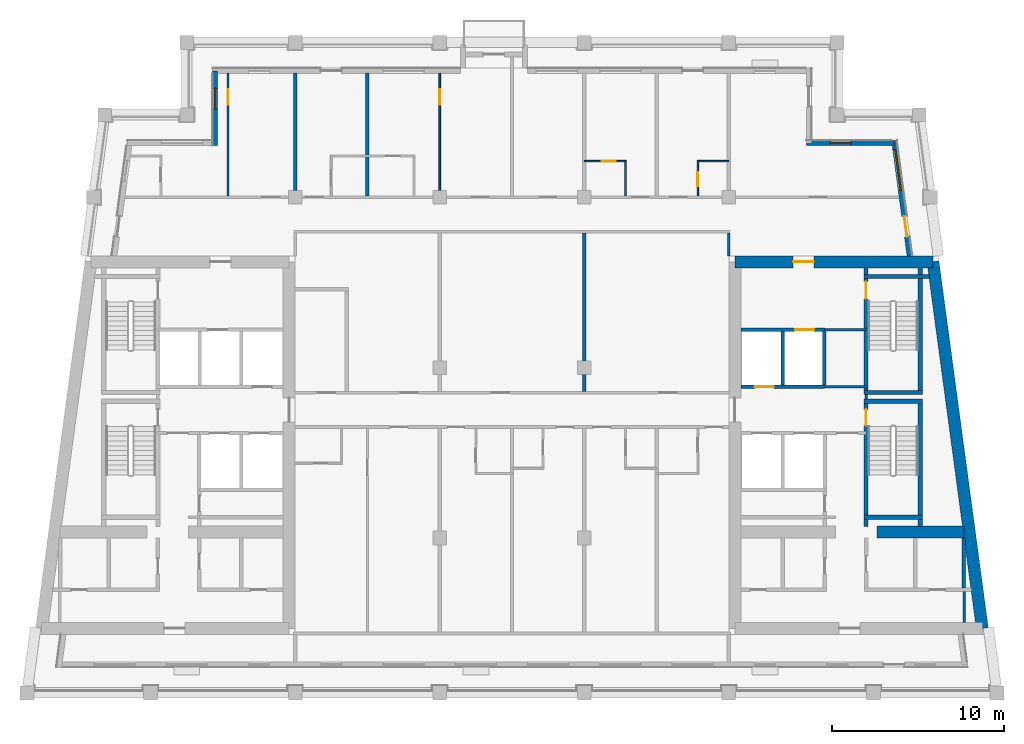
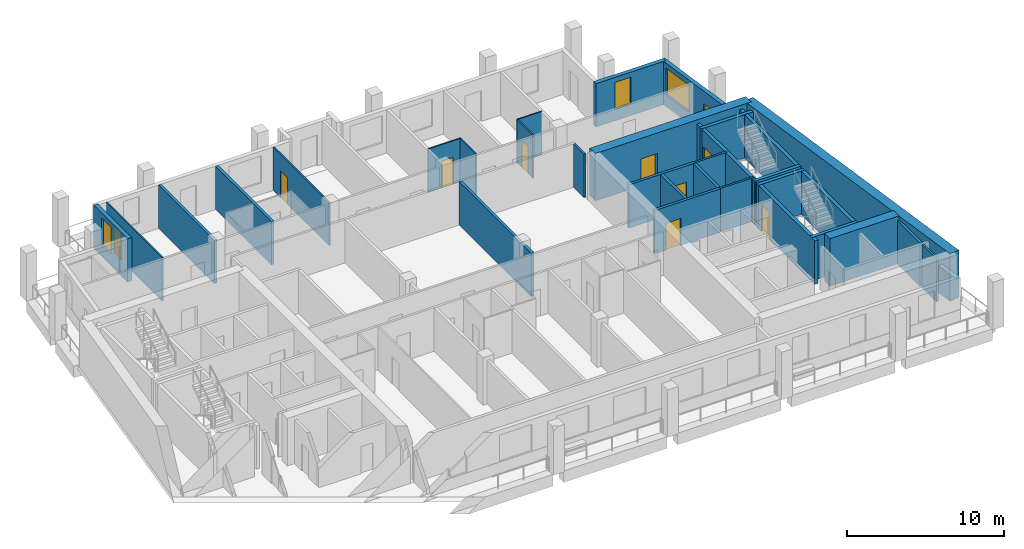
# One storey, part 6 of 14: 33 walls, 10 doors, 3 windows, 13 openings.
"""IFC4 building model written with IfcOpenShell, lengths in metres."""

from ifc_helpers import new_model, si_unit, direction, frame, frame_2d, origin, place, context, subcontext, project, spatial, rectangle, extrude, material, layer, layer_set, type_object, element, fill, save


model = new_model("IFC4")

# Units and contexts
model_context = context("Model", 3, precision=1e-05, world=origin(), true_north=direction((0.0, 1.0)))
body_context = subcontext(model_context, "Body", "Model", "MODEL_VIEW")
ifc_project = project(units=[si_unit("LENGTHUNIT", "METRE"), si_unit("AREAUNIT", "SQUARE_METRE"), si_unit("VOLUMEUNIT", "CUBIC_METRE"), si_unit("PLANEANGLEUNIT", "RADIAN"), si_unit("MASSUNIT", "GRAM", prefix="KILO")], contexts=[model_context])

# Site, building, storey
site_placement = place(None, origin())
site = spatial("IfcSite", under=ifc_project, at=site_placement, CompositionType="ELEMENT")
building_placement = place(site_placement, origin())
building = spatial("IfcBuilding", under=site, at=building_placement, Name="Candeia Pilgrim Tower and Theatre", CompositionType="ELEMENT")
storey_placement = place(building_placement, frame((0.0, 0.0, 273.800048828125)))
storey = spatial("IfcBuildingStorey", under=building, at=storey_placement, Name="L66", CompositionType="ELEMENT", Elevation=273.800048828125)

# Wall, opening, door
ifc_material_1 = material(Name="Concrete C40/50", Category="concrete")
ifc_layer_1 = layer(ifc_material_1, 0.699951171875)
ifc_layer_set_1 = layer_set([ifc_layer_1], Name="Core wall 700 C40/50")
wall_type_1 = type_object("IfcWallType", Name="Core wall 700 C40/50", PredefinedType="SHEAR", material=ifc_layer_set_1)
wall_1_placement = place(storey_placement, frame((126.35009765625, 132.050048828125, 0.0), z_axis=(0.0, 0.0, 1.0), x_axis=(1.0, 0.0, 0.0)))
wall_1 = element("IfcWall", 1, at=wall_1_placement, inside=storey, type_object=wall_type_1, Name="Core wall E1", PredefinedType="SHEAR", context=body_context, shape_type="SweptSolid", body=[
    extrude(rectangle(XDim=11.51318359375, YDim=0.699951171875, at=frame_2d((5.756591796875, 0.0))), origin(), (0.0, 0.0, 1.0), 3.699951171875),
])
opening_1_placement = place(wall_1_placement, frame((3.386474609375, 0.0, 0.0)))
opening_1 = element("IfcOpeningElement", 2, at=opening_1_placement, cuts=wall_1, Name="Opening L66-D050", PredefinedType="OPENING", context=body_context, shape_type="SweptSolid", body=[
    extrude(rectangle(XDim=1.199951171875, YDim=2.10009765625, at=frame_2d((0.60009765625, 1.050048828125))), frame((0.0, 0.35986328125, 0.0), z_axis=(0.0, -1.0, 0.0), x_axis=(1.0, 0.0, 0.0)), (0.0, 0.0, 1.0), 0.719970703125),
])
ifc_material_2 = material(Name="Steel fire door set", Category="steel")
door_type_1 = type_object("IfcDoorType", Name="D-1200-FD60", OperationType="NOTDEFINED", PredefinedType="DOOR", material=ifc_material_2)
door_1_placement = place(opening_1_placement, origin())
door_1 = element("IfcDoor", 3, at=door_1_placement, inside=storey, type_object=door_type_1, Name="Door L66-D050", OperationType="SINGLE_SWING_RIGHT", OverallHeight=2.10009765625, OverallWidth=1.199951171875, PredefinedType="DOOR", context=body_context, shape_type="SweptSolid", body=[
    extrude(rectangle(XDim=1.199951171875, YDim=2.10009765625, at=frame_2d((0.60009765625, 1.050048828125))), frame((0.0, 0.02490234375, 0.0), z_axis=(0.0, -1.0, 0.0), x_axis=(1.0, 0.0, 0.0)), (0.0, 0.0, 1.0), 0.050048828125),
])
fill(opening_1, door_1)

# Walls
wall_2_placement = place(storey_placement, frame((137.86328125, 132.050048828125, 0.0), z_axis=(0.0, 0.0, 1.0), x_axis=(0.133406218907, -0.991061441464, 0.0)))
element("IfcWall", 4, at=wall_2_placement, inside=storey, type_object=wall_type_1, Name="Core wall E2", PredefinedType="SHEAR", context=body_context, shape_type="SweptSolid", body=[
    extrude(rectangle(XDim=21.4921875, YDim=0.699951171875, at=frame_2d((10.74609375, 0.0))), origin(), (0.0, 0.0, 1.0), 3.699951171875),
])
wall_3_placement = place(storey_placement, frame((134.60009765625, 116.35009765625, 0.0), z_axis=(0.0, 0.0, 1.0), x_axis=(1.0, 0.0, 0.0)))
element("IfcWall", 5, at=wall_3_placement, inside=storey, type_object=wall_type_1, Name="Core wall E6", PredefinedType="SHEAR", context=body_context, shape_type="SweptSolid", body=[
    extrude(rectangle(XDim=5.076904296875, YDim=0.699951171875, at=frame_2d((2.53857421875, 0.0))), origin(), (0.0, 0.0, 1.0), 3.699951171875),
])

# Wall, openings, door, window
ifc_material_3 = material(Name="Ceramic block masonry", Category="masonry")
ifc_layer_2 = layer(ifc_material_3, 0.300048828125)
ifc_layer_set_2 = layer_set([ifc_layer_2], Name="EW1 glazing-line wall 300")
wall_type_2 = type_object("IfcWallType", Name="EW1 glazing-line wall 300", PredefinedType="SOLIDWALL", material=ifc_layer_set_2)
wall_4_placement = place(storey_placement, frame((136.50439453125, 132.39990234375, 0.0), z_axis=(0.0, 0.0, 1.0), x_axis=(-0.133399697462, 0.99106231929, 0.0)))
wall_4 = element("IfcWall", 6, at=wall_4_placement, inside=storey, type_object=wall_type_2, Name="External wall L66-2.1", PredefinedType="SOLIDWALL", context=body_context, shape_type="SweptSolid", body=[
    extrude(rectangle(XDim=6.740478515625, YDim=0.300048828125, at=frame_2d((3.3701171875, 0.0))), origin(), (0.0, 0.0, 1.0), 3.3798828125),
])
opening_2_placement = place(wall_4_placement, frame((1.115234375, 0.0, 0.0)))
opening_2 = element("IfcOpeningElement", 7, at=opening_2_placement, cuts=wall_4, Name="Opening L66-ED623", PredefinedType="OPENING", context=body_context, shape_type="SweptSolid", body=[
    extrude(rectangle(XDim=1.199951171875, YDim=2.39990234375, at=frame_2d((0.60009765625, 1.199951171875))), frame((0.0, 0.16015625, 0.0), z_axis=(0.0, -1.0, 0.0), x_axis=(1.0, 0.0, 0.0)), (0.0, 0.0, 1.0), 0.320068359375),
])
opening_3_placement = place(wall_4_placement, frame((3.83544921875, 0.0, 0.89990234375)))
opening_3 = element("IfcOpeningElement", 8, at=opening_3_placement, cuts=wall_4, Name="Opening W-A", PredefinedType="OPENING", context=body_context, shape_type="SweptSolid", body=[
    extrude(rectangle(XDim=2.39990234375, YDim=2.10009765625, at=frame_2d((1.199951171875, 1.050048828125))), frame((0.0, 0.16015625, 0.0), z_axis=(0.0, -1.0, 0.0), x_axis=(1.0, 0.0, 0.0)), (0.0, 0.0, 1.0), 0.320068359375),
])
ifc_material_4 = material(Name="Aluminium framed glazed door", Category="aluminium")
door_type_2 = type_object("IfcDoorType", Name="Loggia door 1200x2400", OperationType="DOUBLE_DOOR_SINGLE_SWING", PredefinedType="DOOR", material=ifc_material_4)
door_2_placement = place(opening_2_placement, origin())
door_2 = element("IfcDoor", 9, at=door_2_placement, inside=storey, type_object=door_type_2, Name="Loggia door L66-ED623", OperationType="DOUBLE_DOOR_SINGLE_SWING", OverallHeight=2.39990234375, OverallWidth=1.199951171875, PredefinedType="DOOR", context=body_context, shape_type="SweptSolid", body=[
    extrude(rectangle(XDim=1.199951171875, YDim=2.39990234375, at=frame_2d((0.60009765625, 1.199951171875))), frame((0.0, 0.02490234375, 0.0), z_axis=(0.0, -1.0, 0.0), x_axis=(1.0, 0.0, 0.0)), (0.0, 0.0, 1.0), 0.050048828125),
])
fill(opening_2, door_2)
ifc_material_5 = material(Name="Aluminium framed double glazing", Category="aluminium")
window_type_1 = type_object("IfcWindowType", Name="W-A window 2400x2100", PartitioningType="DOUBLE_PANEL_VERTICAL", PredefinedType="WINDOW", material=ifc_material_5)
window_1_placement = place(opening_3_placement, origin())
window_1 = element("IfcWindow", 10, at=window_1_placement, inside=storey, type_object=window_type_1, Name="Window W-A L66", OverallHeight=2.10009765625, OverallWidth=2.39990234375, PartitioningType="SINGLE_PANEL", PredefinedType="WINDOW", context=body_context, shape_type="SweptSolid", body=[
    extrude(rectangle(XDim=2.39990234375, YDim=2.10009765625, at=frame_2d((1.199951171875, 1.050048828125))), frame((0.0, 0.030029296875, 0.0), z_axis=(0.0, -1.0, 0.0), x_axis=(1.0, 0.0, 0.0)), (0.0, 0.0, 1.0), 0.06005859375),
])
fill(opening_3, window_1)

# Wall, opening, window
wall_5_placement = place(storey_placement, frame((135.62255859375, 138.949951171875, 0.0), z_axis=(0.0, 0.0, 1.0), x_axis=(-1.0, 0.0, 0.0)))
wall_5 = element("IfcWall", 11, at=wall_5_placement, inside=storey, type_object=wall_type_2, Name="External wall L66-3.0", PredefinedType="SOLIDWALL", context=body_context, shape_type="SweptSolid", body=[
    extrude(rectangle(XDim=5.12255859375, YDim=0.300048828125, at=frame_2d((2.561279296875, 0.0))), origin(), (0.0, 0.0, 1.0), 3.3798828125),
])
opening_4_placement = place(wall_5_placement, frame((2.522705078125, 0.0, 0.89990234375)))
opening_4 = element("IfcOpeningElement", 12, at=opening_4_placement, cuts=wall_5, Name="Opening W-B", PredefinedType="OPENING", context=body_context, shape_type="SweptSolid", body=[
    extrude(rectangle(XDim=1.199951171875, YDim=2.10009765625, at=frame_2d((0.60009765625, 1.050048828125))), frame((0.0, 0.16015625, 0.0), z_axis=(0.0, -1.0, 0.0), x_axis=(1.0, 0.0, 0.0)), (0.0, 0.0, 1.0), 0.320068359375),
])
window_type_2 = type_object("IfcWindowType", Name="W-B window 1200x2100", PartitioningType="SINGLE_PANEL", PredefinedType="WINDOW", material=ifc_material_5)
window_2_placement = place(opening_4_placement, origin())
window_2 = element("IfcWindow", 13, at=window_2_placement, inside=storey, type_object=window_type_2, Name="Window W-B L66", OverallHeight=2.10009765625, OverallWidth=1.199951171875, PartitioningType="SINGLE_PANEL", PredefinedType="WINDOW", context=body_context, shape_type="SweptSolid", body=[
    extrude(rectangle(XDim=1.199951171875, YDim=2.10009765625, at=frame_2d((0.60009765625, 1.050048828125))), frame((0.0, 0.030029296875, 0.0), z_axis=(0.0, -1.0, 0.0), x_axis=(1.0, 0.0, 0.0)), (0.0, 0.0, 1.0), 0.06005859375),
])
fill(opening_4, window_2)

wall_6_placement = place(storey_placement, frame((96.14990234375, 143.14990234375, 0.0), z_axis=(0.0, 0.0, 1.0), x_axis=(0.0, -1.0, 0.0)))
wall_6 = element("IfcWall", 14, at=wall_6_placement, inside=storey, type_object=wall_type_2, Name="External wall L66-6.0", PredefinedType="SOLIDWALL", context=body_context, shape_type="SweptSolid", body=[
    extrude(rectangle(XDim=4.349853515625, YDim=0.300048828125, at=frame_2d((2.1748046875, 0.0))), origin(), (0.0, 0.0, 1.0), 3.3798828125),
])
opening_5_placement = place(wall_6_placement, frame((1.02490234375, 0.0, 0.89990234375)))
opening_5 = element("IfcOpeningElement", 15, at=opening_5_placement, cuts=wall_6, Name="Opening W-B", PredefinedType="OPENING", context=body_context, shape_type="SweptSolid", body=[
    extrude(rectangle(XDim=1.199951171875, YDim=2.10009765625, at=frame_2d((0.60009765625, 1.050048828125))), frame((0.0, 0.16015625, 0.0), z_axis=(0.0, -1.0, 0.0), x_axis=(1.0, 0.0, 0.0)), (0.0, 0.0, 1.0), 0.320068359375),
])
window_3_placement = place(opening_5_placement, origin())
window_3 = element("IfcWindow", 16, at=window_3_placement, inside=storey, type_object=window_type_2, Name="Window W-B L66", OverallHeight=2.10009765625, OverallWidth=1.199951171875, PartitioningType="SINGLE_PANEL", PredefinedType="WINDOW", context=body_context, shape_type="SweptSolid", body=[
    extrude(rectangle(XDim=1.199951171875, YDim=2.10009765625, at=frame_2d((0.60009765625, 1.050048828125))), frame((0.0, 0.030029296875, 0.0), z_axis=(0.0, -1.0, 0.0), x_axis=(1.0, 0.0, 0.0)), (0.0, 0.0, 1.0), 0.06005859375),
])
fill(opening_5, window_3)

# Wall, opening, door
ifc_material_6 = material(Name="Gypsum board partition on steel studs", Category="steel")
ifc_layer_3 = layer(ifc_material_6, 0.10009765625)
ifc_layer_set_3 = layer_set([ifc_layer_3], Name="PW-100 room partition")
wall_type_3 = type_object("IfcWallType", Name="PW-100 room partition", PredefinedType="PARTITIONING", material=ifc_layer_set_3)
wall_7_placement = place(storey_placement, frame((117.60009765625, 137.89990234375, 0.0), z_axis=(0.0, 0.0, 1.0), x_axis=(1.0, 0.0, 0.0)))
wall_7 = element("IfcWall", 17, at=wall_7_placement, inside=storey, type_object=wall_type_3, Name="Room partition L66-040", PredefinedType="PARTITIONING", context=body_context, shape_type="SweptSolid", body=[
    extrude(rectangle(XDim=2.449951171875, YDim=0.10009765625, at=frame_2d((1.22509765625, 0.0))), origin(), (0.0, 0.0, 1.0), 3.3798828125),
])
opening_6_placement = place(wall_7_placement, frame((1.02490234375, 0.0, 0.0)))
opening_6 = element("IfcOpeningElement", 18, at=opening_6_placement, cuts=wall_7, Name="Opening L66-D038", PredefinedType="OPENING", context=body_context, shape_type="SweptSolid", body=[
    extrude(rectangle(XDim=0.800048828125, YDim=2.10009765625, at=frame_2d((0.39990234375, 1.050048828125))), frame((0.0, 0.06005859375, 0.0), z_axis=(0.0, -1.0, 0.0), x_axis=(1.0, 0.0, 0.0)), (0.0, 0.0, 1.0), 0.1201171875),
])
ifc_material_7 = material(Name="Timber door leaf", Category="wood")
door_type_3 = type_object("IfcDoorType", Name="D-800", OperationType="NOTDEFINED", PredefinedType="DOOR", material=ifc_material_7)
door_3_placement = place(opening_6_placement, origin())
door_3 = element("IfcDoor", 19, at=door_3_placement, inside=storey, type_object=door_type_3, Name="Door L66-D038", OperationType="SINGLE_SWING_RIGHT", OverallHeight=2.10009765625, OverallWidth=0.800048828125, PredefinedType="DOOR", context=body_context, shape_type="SweptSolid", body=[
    extrude(rectangle(XDim=0.800048828125, YDim=2.10009765625, at=frame_2d((0.39990234375, 1.050048828125))), frame((0.0, 0.02490234375, 0.0), z_axis=(0.0, -1.0, 0.0), x_axis=(1.0, 0.0, 0.0)), (0.0, 0.0, 1.0), 0.050048828125),
])
fill(opening_6, door_3)

# Wall
wall_8_placement = place(storey_placement, frame((124.14990234375, 137.89990234375, 0.0), z_axis=(0.0, 0.0, 1.0), x_axis=(1.0, 0.0, 0.0)))
element("IfcWall", 20, at=wall_8_placement, inside=storey, type_object=wall_type_3, Name="Room partition L66-041", PredefinedType="PARTITIONING", context=body_context, shape_type="SweptSolid", body=[
    extrude(rectangle(XDim=1.85009765625, YDim=0.10009765625, at=frame_2d((0.925048828125, 0.0))), origin(), (0.0, 0.0, 1.0), 3.3798828125),
])

# Wall, opening, door
wall_9_placement = place(storey_placement, frame((96.89990234375, 135.875, 0.0), z_axis=(0.0, 0.0, 1.0), x_axis=(0.0, 1.0, 0.0)))
wall_9 = element("IfcWall", 21, at=wall_9_placement, inside=storey, type_object=wall_type_3, Name="Room partition L66-057", PredefinedType="PARTITIONING", context=body_context, shape_type="SweptSolid", body=[
    extrude(rectangle(XDim=7.135009765625, YDim=0.10009765625, at=frame_2d((3.5673828125, 0.0))), origin(), (0.0, 0.0, 1.0), 3.3798828125),
])
opening_7_placement = place(wall_9_placement, frame((5.2900390625, 0.0, 0.0)))
opening_7 = element("IfcOpeningElement", 22, at=opening_7_placement, cuts=wall_9, Name="Opening L66-D029", PredefinedType="OPENING", context=body_context, shape_type="SweptSolid", body=[
    extrude(rectangle(XDim=0.89990234375, YDim=2.10009765625, at=frame_2d((0.449951171875, 1.050048828125))), frame((0.0, 0.06005859375, 0.0), z_axis=(0.0, -1.0, 0.0), x_axis=(1.0, 0.0, 0.0)), (0.0, 0.0, 1.0), 0.1201171875),
])
door_type_4 = type_object("IfcDoorType", Name="D-900", OperationType="NOTDEFINED", PredefinedType="DOOR", material=ifc_material_7)
door_4_placement = place(opening_7_placement, origin())
door_4 = element("IfcDoor", 23, at=door_4_placement, inside=storey, type_object=door_type_4, Name="Door L66-D029", OperationType="SINGLE_SWING_LEFT", OverallHeight=2.10009765625, OverallWidth=0.89990234375, PredefinedType="DOOR", context=body_context, shape_type="SweptSolid", body=[
    extrude(rectangle(XDim=0.89990234375, YDim=2.10009765625, at=frame_2d((0.449951171875, 1.050048828125))), frame((0.0, 0.02490234375, 0.0), z_axis=(0.0, -1.0, 0.0), x_axis=(1.0, 0.0, 0.0)), (0.0, 0.0, 1.0), 0.050048828125),
])
fill(opening_7, door_4)

wall_10_placement = place(storey_placement, frame((109.199951171875, 135.875, 0.0), z_axis=(0.0, 0.0, 1.0), x_axis=(0.0, 1.0, 0.0)))
wall_10 = element("IfcWall", 24, at=wall_10_placement, inside=storey, type_object=wall_type_3, Name="Room partition L66-070", PredefinedType="PARTITIONING", context=body_context, shape_type="SweptSolid", body=[
    extrude(rectangle(XDim=7.135009765625, YDim=0.10009765625, at=frame_2d((3.5673828125, 0.0))), origin(), (0.0, 0.0, 1.0), 3.3798828125),
])
opening_8_placement = place(wall_10_placement, frame((5.2900390625, 0.0, 0.0)))
opening_8 = element("IfcOpeningElement", 25, at=opening_8_placement, cuts=wall_10, Name="Opening L66-D034", PredefinedType="OPENING", context=body_context, shape_type="SweptSolid", body=[
    extrude(rectangle(XDim=0.89990234375, YDim=2.10009765625, at=frame_2d((0.449951171875, 1.050048828125))), frame((0.0, 0.06005859375, 0.0), z_axis=(0.0, -1.0, 0.0), x_axis=(1.0, 0.0, 0.0)), (0.0, 0.0, 1.0), 0.1201171875),
])
door_5_placement = place(opening_8_placement, origin())
door_5 = element("IfcDoor", 26, at=door_5_placement, inside=storey, type_object=door_type_4, Name="Door L66-D034", OperationType="SINGLE_SWING_RIGHT", OverallHeight=2.10009765625, OverallWidth=0.89990234375, PredefinedType="DOOR", context=body_context, shape_type="SweptSolid", body=[
    extrude(rectangle(XDim=0.89990234375, YDim=2.10009765625, at=frame_2d((0.449951171875, 1.050048828125))), frame((0.0, 0.02490234375, 0.0), z_axis=(0.0, -1.0, 0.0), x_axis=(1.0, 0.0, 0.0)), (0.0, 0.0, 1.0), 0.050048828125),
])
fill(opening_8, door_5)

# Wall
wall_11_placement = place(storey_placement, frame((120.0, 135.875, 0.0), z_axis=(0.0, 0.0, 1.0), x_axis=(0.0, 1.0, 0.0)))
element("IfcWall", 27, at=wall_11_placement, inside=storey, type_object=wall_type_3, Name="Room partition L66-081", PredefinedType="PARTITIONING", context=body_context, shape_type="SweptSolid", body=[
    extrude(rectangle(XDim=1.97509765625, YDim=0.10009765625, at=frame_2d((0.987548828125, 0.0))), origin(), (0.0, 0.0, 1.0), 3.3798828125),
])

# Wall, opening, door
wall_12_placement = place(storey_placement, frame((124.199951171875, 135.875, 0.0), z_axis=(0.0, 0.0, 1.0), x_axis=(0.0, 1.0, 0.0)))
wall_12 = element("IfcWall", 28, at=wall_12_placement, inside=storey, type_object=wall_type_3, Name="Room partition L66-085", PredefinedType="PARTITIONING", context=body_context, shape_type="SweptSolid", body=[
    extrude(rectangle(XDim=1.97509765625, YDim=0.10009765625, at=frame_2d((0.987548828125, 0.0))), origin(), (0.0, 0.0, 1.0), 3.3798828125),
])
opening_9_placement = place(wall_12_placement, frame((0.574951171875, 0.0, 0.0)))
opening_9 = element("IfcOpeningElement", 29, at=opening_9_placement, cuts=wall_12, Name="Opening L66-D040", PredefinedType="OPENING", context=body_context, shape_type="SweptSolid", body=[
    extrude(rectangle(XDim=0.800048828125, YDim=2.10009765625, at=frame_2d((0.39990234375, 1.050048828125))), frame((0.0, 0.06005859375, 0.0), z_axis=(0.0, -1.0, 0.0), x_axis=(1.0, 0.0, 0.0)), (0.0, 0.0, 1.0), 0.1201171875),
])
door_6_placement = place(opening_9_placement, origin())
door_6 = element("IfcDoor", 30, at=door_6_placement, inside=storey, type_object=door_type_3, Name="Door L66-D040", OperationType="SINGLE_SWING_RIGHT", OverallHeight=2.10009765625, OverallWidth=0.800048828125, PredefinedType="DOOR", context=body_context, shape_type="SweptSolid", body=[
    extrude(rectangle(XDim=0.800048828125, YDim=2.10009765625, at=frame_2d((0.39990234375, 1.050048828125))), frame((0.0, 0.02490234375, 0.0), z_axis=(0.0, -1.0, 0.0), x_axis=(1.0, 0.0, 0.0)), (0.0, 0.0, 1.0), 0.050048828125),
])
fill(opening_9, door_6)

# Walls
ifc_layer_4 = layer(ifc_material_6, 0.14990234375)
ifc_layer_set_4 = layer_set([ifc_layer_4], Name="PW-150 lobby wall")
wall_type_4 = type_object("IfcWallType", Name="PW-150 lobby wall", PredefinedType="PARTITIONING", material=ifc_layer_set_4)
wall_13_placement = place(storey_placement, frame((131.548583984375, 124.800048828125, 0.0), z_axis=(0.0, 0.0, 1.0), x_axis=(1.0, 0.0, 0.0)))
element("IfcWall", 31, at=wall_13_placement, inside=storey, type_object=wall_type_4, Name="Lobby wall L66-031", PredefinedType="PARTITIONING", context=body_context, shape_type="SweptSolid", body=[
    extrude(rectangle(XDim=2.54931640625, YDim=0.14990234375, at=frame_2d((1.274658203125, 0.0))), origin(), (0.0, 0.0, 1.0), 3.3798828125),
])
wall_14_placement = place(storey_placement, frame((131.548583984375, 128.10009765625, 0.0), z_axis=(0.0, 0.0, 1.0), x_axis=(1.0, 0.0, 0.0)))
element("IfcWall", 32, at=wall_14_placement, inside=storey, type_object=wall_type_4, Name="Lobby wall L66-034", PredefinedType="PARTITIONING", context=body_context, shape_type="SweptSolid", body=[
    extrude(rectangle(XDim=2.42431640625, YDim=0.14990234375, at=frame_2d((1.212158203125, 0.0))), origin(), (0.0, 0.0, 1.0), 3.3798828125),
])
wall_15_placement = place(storey_placement, frame((133.972900390625, 124.074951171875, 0.0), z_axis=(0.0, 0.0, 1.0), x_axis=(0.0, 1.0, 0.0)))
element("IfcWall", 33, at=wall_15_placement, inside=storey, type_object=wall_type_4, Name="Lobby wall L66-096", PredefinedType="PARTITIONING", context=body_context, shape_type="SweptSolid", body=[
    extrude(rectangle(XDim=0.25, YDim=0.14990234375, at=frame_2d((0.125, 0.0))), origin(), (0.0, 0.0, 1.0), 3.3798828125),
])
wall_16_placement = place(storey_placement, frame((139.673095703125, 111.10009765625, 0.0), z_axis=(0.0, 0.0, 1.0), x_axis=(0.0, 1.0, 0.0)))
element("IfcWall", 34, at=wall_16_placement, inside=storey, type_object=wall_type_4, Name="Lobby wall L66-103", PredefinedType="PARTITIONING", context=body_context, shape_type="SweptSolid", body=[
    extrude(rectangle(XDim=1.7998046875, YDim=0.14990234375, at=frame_2d((0.89990234375, 0.0))), origin(), (0.0, 0.0, 1.0), 3.3798828125),
])
ifc_layer_5 = layer(ifc_material_6, 0.14990234375)
ifc_layer_set_5 = layer_set([ifc_layer_5], Name="PW-150 unit wall")
wall_type_5 = type_object("IfcWallType", Name="PW-150 unit wall", PredefinedType="PARTITIONING", material=ifc_layer_set_5)
wall_17_placement = place(storey_placement, frame((126.0, 132.39990234375, 0.0), z_axis=(0.0, 0.0, 1.0), x_axis=(0.0, 1.0, 0.0)))
element("IfcWall", 35, at=wall_17_placement, inside=storey, type_object=wall_type_5, Name="Unit wall L66-088", PredefinedType="PARTITIONING", context=body_context, shape_type="SweptSolid", body=[
    extrude(rectangle(XDim=1.3251953125, YDim=0.14990234375, at=frame_2d((0.66259765625, 0.0))), origin(), (0.0, 0.0, 1.0), 3.3798828125),
])
ifc_layer_6 = layer(ifc_material_6, 0.199951171875)
ifc_layer_set_6 = layer_set([ifc_layer_6], Name="PW-200 party wall")
wall_type_6 = type_object("IfcWallType", Name="PW-200 party wall", PredefinedType="PARTITIONING", material=ifc_layer_set_6)
for number, where, z_axis, x_axis, name in (
    (36, (100.800048828125, 135.875, 0.0), (0.0, 0.0, 1.0), (0.0, 1.0, 0.0), "Party wall L66-062"),
    (37, (105.0, 135.875, 0.0), (0.0, 0.0, 1.0), (0.0, 1.0, 0.0), "Party wall L66-068"),
):
    element("IfcWall", number, at=place(storey_placement, frame(where, z_axis=z_axis, x_axis=x_axis)), inside=storey, type_object=wall_type_6, Name=name, PredefinedType="PARTITIONING", context=body_context, shape_type="SweptSolid", body=[
        extrude(rectangle(XDim=7.135009765625, YDim=0.199951171875, at=frame_2d((3.5673828125, 0.0))), origin(), (0.0, 0.0, 1.0), 3.3798828125),
    ])
wall_18_placement = place(storey_placement, frame((117.60009765625, 124.52490234375, 0.0), z_axis=(0.0, 0.0, 1.0), x_axis=(0.0, 1.0, 0.0)))
element("IfcWall", 38, at=wall_18_placement, inside=storey, type_object=wall_type_6, Name="Party wall L66-078", PredefinedType="PARTITIONING", context=body_context, shape_type="SweptSolid", body=[
    extrude(rectangle(XDim=9.2001953125, YDim=0.199951171875, at=frame_2d((4.60009765625, 0.0))), origin(), (0.0, 0.0, 1.0), 3.3798828125),
])

# Wall, opening, door
ifc_layer_7 = layer(ifc_material_1, 0.199951171875)
ifc_layer_set_7 = layer_set([ifc_layer_7], Name="SW-200 shaft wall")
wall_type_7 = type_object("IfcWallType", Name="SW-200 shaft wall", PredefinedType="PARTITIONING", material=ifc_layer_set_7)
wall_19_placement = place(storey_placement, frame((126.699951171875, 124.800048828125, 0.0), z_axis=(0.0, 0.0, 1.0), x_axis=(1.0, 0.0, 0.0)))
wall_19 = element("IfcWall", 39, at=wall_19_placement, inside=storey, type_object=wall_type_7, Name="Shaft wall L66-030", PredefinedType="PARTITIONING", context=body_context, shape_type="SweptSolid", body=[
    extrude(rectangle(XDim=4.8486328125, YDim=0.199951171875, at=frame_2d((2.42431640625, 0.0))), origin(), (0.0, 0.0, 1.0), 3.3798828125),
])
opening_10_placement = place(wall_19_placement, frame((0.818115234375, 0.0, 0.0)))
opening_10 = element("IfcOpeningElement", 40, at=opening_10_placement, cuts=wall_19, Name="Opening L66-LD08", PredefinedType="OPENING", context=body_context, shape_type="SweptSolid", body=[
    extrude(rectangle(XDim=1.10009765625, YDim=2.10009765625, at=frame_2d((0.550048828125, 1.050048828125))), frame((0.0, 0.10986328125, 0.0), z_axis=(0.0, -1.0, 0.0), x_axis=(1.0, 0.0, 0.0)), (0.0, 0.0, 1.0), 0.219970703125),
])
ifc_material_8 = material(Name="Glazed aluminium landing door", Category="aluminium")
door_type_5 = type_object("IfcDoorType", Name="LD-1100-EI120", OperationType="SLIDING_TO_LEFT", PredefinedType="DOOR", material=ifc_material_8)
door_7_placement = place(opening_10_placement, origin())
door_7 = element("IfcDoor", 41, at=door_7_placement, inside=storey, type_object=door_type_5, Name="Landing door 08 L66", OperationType="SLIDING_TO_LEFT", OverallHeight=2.10009765625, OverallWidth=1.10009765625, PredefinedType="DOOR", context=body_context, shape_type="SweptSolid", body=[
    extrude(rectangle(XDim=1.10009765625, YDim=2.10009765625, at=frame_2d((0.550048828125, 1.050048828125))), frame((0.0, 0.02490234375, 0.0), z_axis=(0.0, -1.0, 0.0), x_axis=(1.0, 0.0, 0.0)), (0.0, 0.0, 1.0), 0.050048828125),
])
fill(opening_10, door_7)

wall_20_placement = place(storey_placement, frame((126.699951171875, 128.10009765625, 0.0), z_axis=(0.0, 0.0, 1.0), x_axis=(1.0, 0.0, 0.0)))
wall_20 = element("IfcWall", 42, at=wall_20_placement, inside=storey, type_object=wall_type_7, Name="Shaft wall L66-033", PredefinedType="PARTITIONING", context=body_context, shape_type="SweptSolid", body=[
    extrude(rectangle(XDim=4.8486328125, YDim=0.199951171875, at=frame_2d((2.42431640625, 0.0))), origin(), (0.0, 0.0, 1.0), 3.3798828125),
])
opening_11_placement = place(wall_20_placement, frame((3.14892578125, 0.0, 0.0)))
opening_11 = element("IfcOpeningElement", 43, at=opening_11_placement, cuts=wall_20, Name="Opening L66-LD07", PredefinedType="OPENING", context=body_context, shape_type="SweptSolid", body=[
    extrude(rectangle(XDim=1.10009765625, YDim=2.10009765625, at=frame_2d((0.550048828125, 1.050048828125))), frame((0.0, 0.10986328125, 0.0), z_axis=(0.0, -1.0, 0.0), x_axis=(1.0, 0.0, 0.0)), (0.0, 0.0, 1.0), 0.219970703125),
])
door_8_placement = place(opening_11_placement, origin())
door_8 = element("IfcDoor", 44, at=door_8_placement, inside=storey, type_object=door_type_5, Name="Landing door 07 L66", OperationType="SLIDING_TO_LEFT", OverallHeight=2.10009765625, OverallWidth=1.10009765625, PredefinedType="DOOR", context=body_context, shape_type="SweptSolid", body=[
    extrude(rectangle(XDim=1.10009765625, YDim=2.10009765625, at=frame_2d((0.550048828125, 1.050048828125))), frame((0.0, 0.02490234375, 0.0), z_axis=(0.0, -1.0, 0.0), x_axis=(1.0, 0.0, 0.0)), (0.0, 0.0, 1.0), 0.050048828125),
])
fill(opening_11, door_8)

# Walls
for number, where, z_axis, x_axis, name in (
    (45, (129.124267578125, 124.89990234375, 0.0), (0.0, 0.0, 1.0), (0.0, 1.0, 0.0), "Shaft wall L66-089"),
    (46, (131.548583984375, 124.89990234375, 0.0), (0.0, 0.0, 1.0), (0.0, 1.0, 0.0), "Shaft wall L66-092"),
):
    element("IfcWall", number, at=place(storey_placement, frame(where, z_axis=z_axis, x_axis=x_axis)), inside=storey, type_object=wall_type_7, Name=name, PredefinedType="PARTITIONING", context=body_context, shape_type="SweptSolid", body=[
        extrude(rectangle(XDim=3.10009765625, YDim=0.199951171875, at=frame_2d((1.550048828125, 0.0))), origin(), (0.0, 0.0, 1.0), 3.3798828125),
    ])
wall_21_placement = place(storey_placement, frame((139.651611328125, 113.10009765625, 0.0), z_axis=(0.0, 0.0, 1.0), x_axis=(0.0, 1.0, 0.0)))
element("IfcWall", 47, at=wall_21_placement, inside=storey, type_object=wall_type_7, Name="Shaft wall L66-102", PredefinedType="PARTITIONING", context=body_context, shape_type="SweptSolid", body=[
    extrude(rectangle(XDim=2.89990234375, YDim=0.199951171875, at=frame_2d((1.449951171875, 0.0))), origin(), (0.0, 0.0, 1.0), 3.3798828125),
])
ifc_layer_8 = layer(ifc_material_1, 0.25)
ifc_layer_set_8 = layer_set([ifc_layer_8], Name="SW-250 stair wall")
wall_type_8 = type_object("IfcWallType", Name="SW-250 stair wall", PredefinedType="PARTITIONING", material=ifc_layer_set_8)
for number, where, z_axis, x_axis, name in (
    (48, (133.847900390625, 117.199951171875, 0.0), (0.0, 0.0, 1.0), (1.0, 0.0, 0.0), "Stair wall L66-011"),
    (49, (133.847900390625, 123.949951171875, 0.0), (0.0, 0.0, 1.0), (1.0, 0.0, 0.0), "Stair wall L66-025"),
    (50, (133.847900390625, 124.449951171875, 0.0), (0.0, 0.0, 1.0), (1.0, 0.0, 0.0), "Stair wall L66-027"),
):
    element("IfcWall", number, at=place(storey_placement, frame(where, z_axis=z_axis, x_axis=x_axis)), inside=storey, type_object=wall_type_8, Name=name, PredefinedType="PARTITIONING", context=body_context, shape_type="SweptSolid", body=[
        extrude(rectangle(XDim=3.400146484375, YDim=0.25, at=frame_2d((1.7001953125, 0.0))), origin(), (0.0, 0.0, 1.0), 3.3798828125),
    ])
wall_22_placement = place(storey_placement, frame((133.847900390625, 131.199951171875, 0.0), z_axis=(0.0, 0.0, 1.0), x_axis=(1.0, 0.0, 0.0)))
element("IfcWall", 51, at=wall_22_placement, inside=storey, type_object=wall_type_8, Name="Stair wall L66-037", PredefinedType="PARTITIONING", context=body_context, shape_type="SweptSolid", body=[
    extrude(rectangle(XDim=3.806640625, YDim=0.25, at=frame_2d((1.9033203125, 0.0))), origin(), (0.0, 0.0, 1.0), 3.3798828125),
])

# Wall, opening, door
wall_23_placement = place(storey_placement, frame((133.972900390625, 116.669921875, 0.0), z_axis=(0.0, 0.0, 1.0), x_axis=(0.0, 1.0, 0.0)))
wall_23 = element("IfcWall", 52, at=wall_23_placement, inside=storey, type_object=wall_type_8, Name="Stair wall L66-097", PredefinedType="PARTITIONING", context=body_context, shape_type="SweptSolid", body=[
    extrude(rectangle(XDim=7.155029296875, YDim=0.25, at=frame_2d((3.57763671875, 0.0))), origin(), (0.0, 0.0, 1.0), 3.3798828125),
])
opening_12_placement = place(wall_23_placement, frame((5.85498046875, 0.0, 0.0)))
opening_12 = element("IfcOpeningElement", 53, at=opening_12_placement, cuts=wall_23, Name="Opening L66-D010", PredefinedType="OPENING", context=body_context, shape_type="SweptSolid", body=[
    extrude(rectangle(XDim=0.949951171875, YDim=2.10009765625, at=frame_2d((0.47509765625, 1.050048828125))), frame((0.0, 0.135009765625, 0.0), z_axis=(0.0, -1.0, 0.0), x_axis=(1.0, 0.0, 0.0)), (0.0, 0.0, 1.0), 0.27001953125),
])
door_type_6 = type_object("IfcDoorType", Name="D-950-FD60", OperationType="NOTDEFINED", PredefinedType="DOOR", material=ifc_material_2)
door_9_placement = place(opening_12_placement, origin())
door_9 = element("IfcDoor", 54, at=door_9_placement, inside=storey, type_object=door_type_6, Name="Door L66-D010", OperationType="SINGLE_SWING_RIGHT", OverallHeight=2.10009765625, OverallWidth=0.949951171875, PredefinedType="DOOR", context=body_context, shape_type="SweptSolid", body=[
    extrude(rectangle(XDim=0.949951171875, YDim=2.10009765625, at=frame_2d((0.47509765625, 1.050048828125))), frame((0.0, 0.02490234375, 0.0), z_axis=(0.0, -1.0, 0.0), x_axis=(1.0, 0.0, 0.0)), (0.0, 0.0, 1.0), 0.050048828125),
])
fill(opening_12, door_9)

wall_24_placement = place(storey_placement, frame((133.972900390625, 124.574951171875, 0.0), z_axis=(0.0, 0.0, 1.0), x_axis=(0.0, 1.0, 0.0)))
wall_24 = element("IfcWall", 55, at=wall_24_placement, inside=storey, type_object=wall_type_8, Name="Stair wall L66-098", PredefinedType="PARTITIONING", context=body_context, shape_type="SweptSolid", body=[
    extrude(rectangle(XDim=7.155029296875, YDim=0.25, at=frame_2d((3.57763671875, 0.0))), origin(), (0.0, 0.0, 1.0), 3.3798828125),
])
opening_13_placement = place(wall_24_placement, frame((5.324951171875, 0.0, 0.0)))
opening_13 = element("IfcOpeningElement", 56, at=opening_13_placement, cuts=wall_24, Name="Opening L66-D011", PredefinedType="OPENING", context=body_context, shape_type="SweptSolid", body=[
    extrude(rectangle(XDim=1.0, YDim=2.10009765625, at=frame_2d((0.5, 1.050048828125))), frame((0.0, 0.135009765625, 0.0), z_axis=(0.0, -1.0, 0.0), x_axis=(1.0, 0.0, 0.0)), (0.0, 0.0, 1.0), 0.27001953125),
])
door_type_7 = type_object("IfcDoorType", Name="D-1000-FD60", OperationType="NOTDEFINED", PredefinedType="DOOR", material=ifc_material_2)
door_10_placement = place(opening_13_placement, origin())
door_10 = element("IfcDoor", 57, at=door_10_placement, inside=storey, type_object=door_type_7, Name="Door L66-D011", OperationType="SINGLE_SWING_LEFT", OverallHeight=2.10009765625, OverallWidth=1.0, PredefinedType="DOOR", context=body_context, shape_type="SweptSolid", body=[
    extrude(rectangle(XDim=1.0, YDim=2.10009765625, at=frame_2d((0.5, 1.050048828125))), frame((0.0, 0.02490234375, 0.0), z_axis=(0.0, -1.0, 0.0), x_axis=(1.0, 0.0, 0.0)), (0.0, 0.0, 1.0), 0.050048828125),
])
fill(opening_13, door_10)

# Walls
for number, where, z_axis, x_axis, name in (
    (58, (137.123046875, 116.669921875, 0.0), (0.0, 0.0, 1.0), (0.0, 1.0, 0.0), "Stair wall L66-100"),
    (59, (137.123046875, 124.574951171875, 0.0), (0.0, 0.0, 1.0), (0.0, 1.0, 0.0), "Stair wall L66-101"),
):
    element("IfcWall", number, at=place(storey_placement, frame(where, z_axis=z_axis, x_axis=x_axis)), inside=storey, type_object=wall_type_8, Name=name, PredefinedType="PARTITIONING", context=body_context, shape_type="SweptSolid", body=[
        extrude(rectangle(XDim=7.155029296875, YDim=0.25, at=frame_2d((3.57763671875, 0.0))), origin(), (0.0, 0.0, 1.0), 3.3798828125),
    ])

save(model, "model.ifc")
